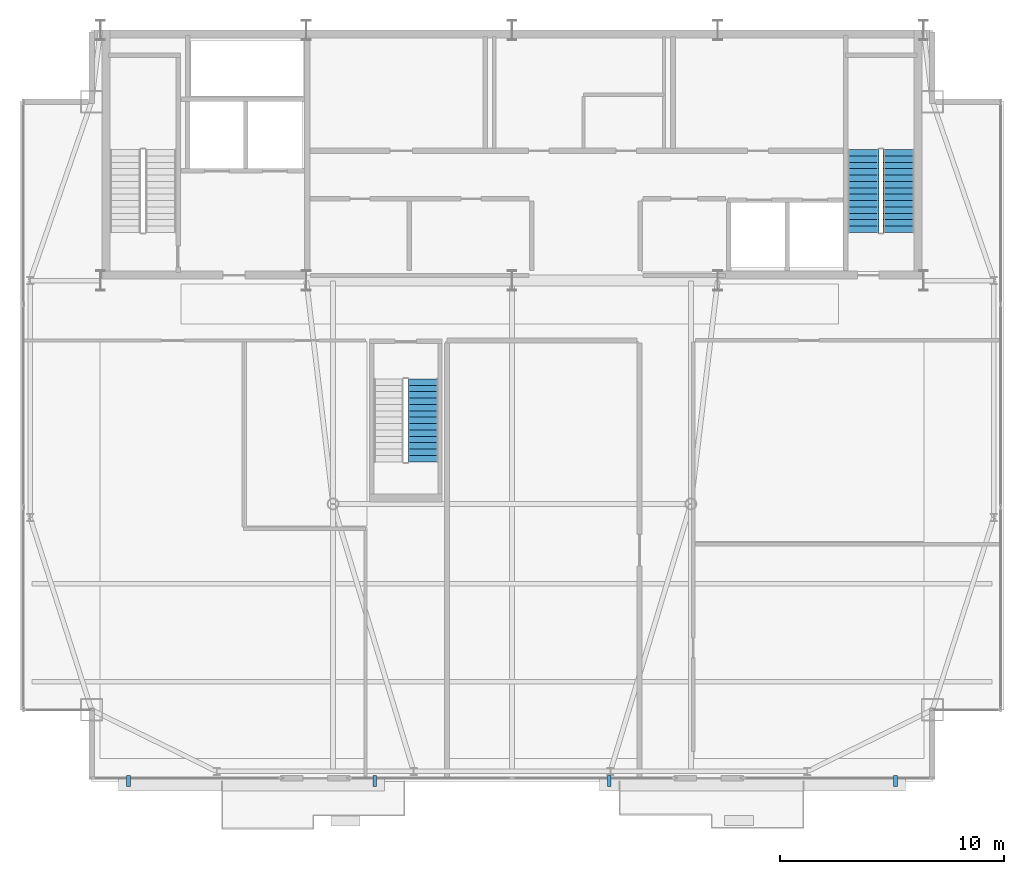
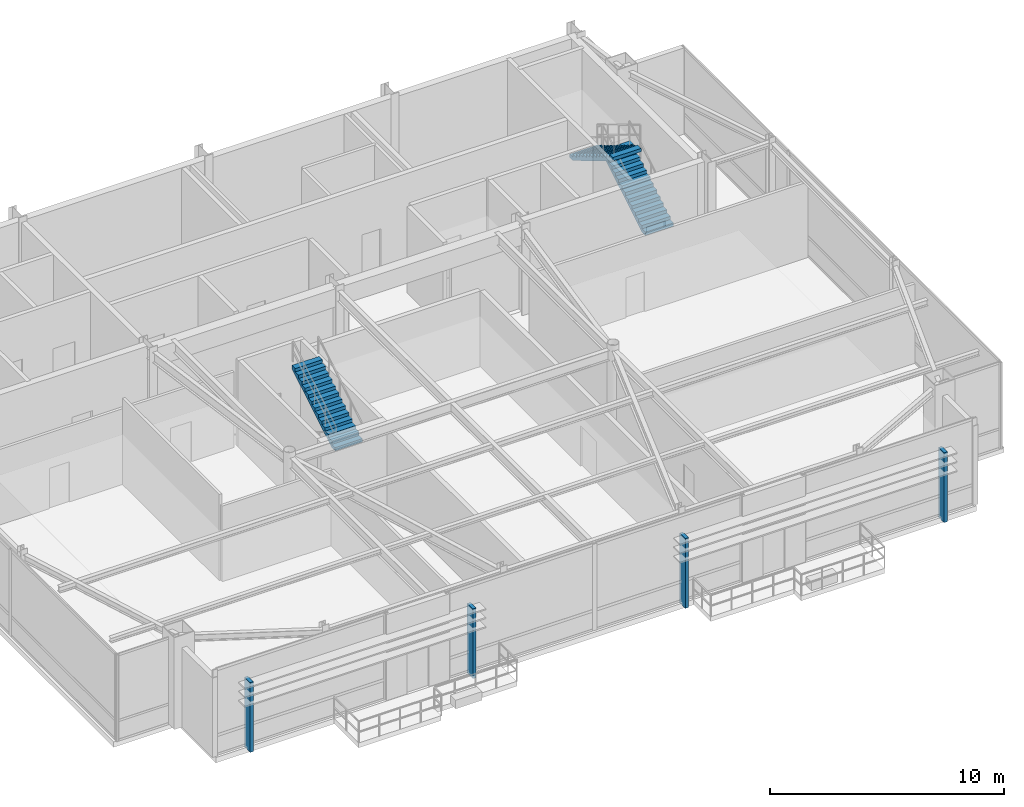
# One storey, part 20 of 22: 4 discrete accessories, 3 stair flights, 2 elements without a shape of their own.
"""IFC4 building model written with IfcOpenShell, lengths in metres."""

from ifc_helpers import new_model, si_unit, direction, frame, origin, origin_2d, place, context, subcontext, project, spatial, polyline, rectangle, outline, extrude, source, transform, mapped, material, layer, layer_set, type_object, type_shapes, element, aggregate, save


model = new_model("IFC4")

# Units and contexts
model_context = context("Model", 3, precision=1e-05, world=origin(), true_north=direction((0.0, 1.0)))
body_context = subcontext(model_context, "Body", "Model", "MODEL_VIEW")
ifc_project = project(units=[si_unit("LENGTHUNIT", "METRE"), si_unit("AREAUNIT", "SQUARE_METRE"), si_unit("VOLUMEUNIT", "CUBIC_METRE"), si_unit("PLANEANGLEUNIT", "RADIAN"), si_unit("MASSUNIT", "GRAM", prefix="KILO")], contexts=[model_context])

# Site, building, storey
site_placement = place(None, origin())
site = spatial("IfcSite", under=ifc_project, at=site_placement, CompositionType="ELEMENT")
building_placement = place(site_placement, origin())
building = spatial("IfcBuilding", under=site, at=building_placement, Name="Varnel Quay Broadcast Tower", CompositionType="ELEMENT")
storey_placement = place(building_placement, frame((0.0, 0.0, 305.0)))
storey = spatial("IfcBuildingStorey", under=building, at=storey_placement, Name="L76", CompositionType="ELEMENT", Elevation=305.0)

# Stair, stair flights
ifc_material_1 = material(Name="Precast Structural Concrete C40/50", Category="concrete")
stair_type_1 = type_object("IfcStairType", Name="Stair_ST-02", PredefinedType="HALF_TURN_STAIR", material=ifc_material_1)
stair_1_placement = place(storey_placement, origin())
stair_1 = element("IfcStair", 1, at=stair_1_placement, inside=storey, type_object=stair_type_1, Name="L76 East Core Exit Stair 2", PredefinedType="HALF_TURN_STAIR")
stair_flight_type_1 = type_object("IfcStairFlightType", Name="Flight_ST-02", PredefinedType="STRAIGHT", material=ifc_material_1)
stair_flight_1_placement = place(storey_placement, frame((51.300048828125, 37.75, 0.0), z_axis=(0.0, 0.0, 1.0), x_axis=(0.0, 1.0, 0.0)))
stair_flight_1 = element("IfcStairFlight", 2, at=stair_flight_1_placement, type_object=stair_flight_type_1, Name="ST-02 flight 1", NumberOfRisers=14, NumberOfTreads=13, PredefinedType="STRAIGHT", RiserHeight=0.171428571, TreadLength=0.285, context=body_context, shape_type="SweptSolid", body=[
    extrude(outline(polyline([(0.0, 0.0), (0.0, 0.17138671875), (0.284912109375, 0.17138671875), (0.284912109375, 0.3427734375), (0.570068359375, 0.3427734375), (0.570068359375, 0.514404296875), (0.85498046875, 0.514404296875), (0.85498046875, 0.685791015625), (1.139892578125, 0.685791015625), (1.139892578125, 0.857177734375), (1.425048828125, 0.857177734375), (1.425048828125, 1.028564453125), (1.7099609375, 1.028564453125), (1.7099609375, 1.199951171875), (1.9951171875, 1.199951171875), (1.9951171875, 1.371337890625), (2.280029296875, 1.371337890625), (2.280029296875, 1.54296875), (2.56494140625, 1.54296875), (2.56494140625, 1.71435546875), (2.85009765625, 1.71435546875), (2.85009765625, 1.8857421875), (3.135009765625, 1.8857421875), (3.135009765625, 2.05712890625), (3.419921875, 2.05712890625), (3.419921875, 2.228515625), (3.705078125, 2.228515625), (3.705078125, 2.39990234375), (3.705078125, 2.0537109375), (0.290771484375, 0.0), (0.0, 0.0)])), frame((0.0, 0.699951171875, 0.0), z_axis=(0.0, -1.0, 0.0), x_axis=(1.0, 0.0, 0.0)), (0.0, 0.0, 1.0), 1.39990234375),
])
stair_flight_2_placement = place(storey_placement, frame((49.699951171875, 41.455078125, 2.39990234375), z_axis=(0.0, 0.0, 1.0), x_axis=(0.0, -1.0, 0.0)))
stair_flight_2 = element("IfcStairFlight", 3, at=stair_flight_2_placement, type_object=stair_flight_type_1, Name="ST-02 flight 2", NumberOfRisers=14, NumberOfTreads=13, PredefinedType="STRAIGHT", RiserHeight=0.171428571, TreadLength=0.285, context=body_context, shape_type="SweptSolid", body=[
    extrude(outline(polyline([(0.0, 0.0), (0.0, 0.17138671875), (0.284912109375, 0.17138671875), (0.284912109375, 0.3427734375), (0.570068359375, 0.3427734375), (0.570068359375, 0.514404296875), (0.85498046875, 0.514404296875), (0.85498046875, 0.685791015625), (1.139892578125, 0.685791015625), (1.139892578125, 0.857177734375), (1.425048828125, 0.857177734375), (1.425048828125, 1.028564453125), (1.7099609375, 1.028564453125), (1.7099609375, 1.199951171875), (1.9951171875, 1.199951171875), (1.9951171875, 1.371337890625), (2.280029296875, 1.371337890625), (2.280029296875, 1.54296875), (2.56494140625, 1.54296875), (2.56494140625, 1.71435546875), (2.85009765625, 1.71435546875), (2.85009765625, 1.8857421875), (3.135009765625, 1.8857421875), (3.135009765625, 2.05712890625), (3.419921875, 2.05712890625), (3.419921875, 2.228515625), (3.705078125, 2.228515625), (3.705078125, 2.39990234375), (3.705078125, 2.0537109375), (0.290771484375, 0.0), (0.0, 0.0)])), frame((0.0, 0.699951171875, 0.0), z_axis=(0.0, -1.0, 0.0), x_axis=(1.0, 0.0, 0.0)), (0.0, 0.0, 1.0), 1.39990234375),
])
aggregate(stair_1, [stair_flight_1, stair_flight_2])

# Stair, stair flight
stair_type_2 = type_object("IfcStairType", Name="Stair_ST-04", PredefinedType="HALF_TURN_STAIR", material=ifc_material_1)
stair_2_placement = place(storey_placement, origin())
stair_2 = element("IfcStair", 4, at=stair_2_placement, inside=storey, type_object=stair_type_2, Name="L76 Observation Gallery Stair 4", PredefinedType="HALF_TURN_STAIR")
stair_flight_type_2 = type_object("IfcStairFlightType", Name="Flight_ST-04", PredefinedType="STRAIGHT", material=ifc_material_1)
stair_flight_3_placement = place(storey_placement, frame((30.02490234375, 27.4951171875, 2.39990234375), z_axis=(0.0, 0.0, 1.0), x_axis=(0.0, 1.0, 0.0)))
stair_flight_3 = element("IfcStairFlight", 5, at=stair_flight_3_placement, type_object=stair_flight_type_2, Name="ST-04 flight 2", NumberOfRisers=14, NumberOfTreads=13, PredefinedType="STRAIGHT", RiserHeight=0.171428571, TreadLength=0.285, context=body_context, shape_type="SweptSolid", body=[
    extrude(outline(polyline([(0.0, 0.0), (0.0, 0.17138671875), (0.284912109375, 0.17138671875), (0.284912109375, 0.3427734375), (0.570068359375, 0.3427734375), (0.570068359375, 0.514404296875), (0.85498046875, 0.514404296875), (0.85498046875, 0.685791015625), (1.139892578125, 0.685791015625), (1.139892578125, 0.857177734375), (1.425048828125, 0.857177734375), (1.425048828125, 1.028564453125), (1.7099609375, 1.028564453125), (1.7099609375, 1.199951171875), (1.9951171875, 1.199951171875), (1.9951171875, 1.371337890625), (2.280029296875, 1.371337890625), (2.280029296875, 1.54296875), (2.56494140625, 1.54296875), (2.56494140625, 1.71435546875), (2.85009765625, 1.71435546875), (2.85009765625, 1.8857421875), (3.135009765625, 1.8857421875), (3.135009765625, 2.05712890625), (3.419921875, 2.05712890625), (3.419921875, 2.228515625), (3.705078125, 2.228515625), (3.705078125, 2.39990234375), (3.705078125, 2.0537109375), (0.290771484375, 0.0), (0.0, 0.0)])), frame((0.0, 0.675048828125, 0.0), z_axis=(0.0, -1.0, 0.0), x_axis=(1.0, 0.0, 0.0)), (0.0, 0.0, 1.0), 1.35009765625),
])
aggregate(stair_2, [stair_flight_3])

# Discrete accessories
ifc_material_2 = material(Name="Anodised Bronze Aluminium 6063-T6", Category="aluminium")
ifc_layer = layer(ifc_material_2, 0.47998046875, Name="Anodised Bronze Aluminium 6063-T6")
ifc_layer_set = layer_set([ifc_layer], Name="Anodised Bronze Aluminium 6063-T6")
discrete_accessory_type = type_object("IfcDiscreteAccessoryType", Name="Acc_FacadeBracket", PredefinedType="BRACKET", material=ifc_layer_set)
shared_shape = source(origin(), body_context, "Body", "SweptSolid", [
    extrude(rectangle(XDim=0.159912109375, YDim=0.47998046875, at=origin_2d()), origin(), (0.0, 0.0, 1.0), 3.64990234375),
])
type_shapes(discrete_accessory_type, [shared_shape])
for number, where, z_axis, x_axis, name in (
    (6, (16.85009765625, 13.219970703125, -0.14990234375), (0.0, 0.0, 1.0), (1.0, 0.0, 0.0), "L76 Lobe 1 Louvre Support Bracket 1"),
    (7, (27.85498046875, 13.219970703125, -0.14990234375), (0.0, 0.0, 1.0), (1.0, 0.0, 0.0), "L76 Lobe 1 Louvre Support Bracket 2"),
    (8, (38.35498046875, 13.219970703125, -0.14990234375), (0.0, 0.0, 1.0), (1.0, 0.0, 0.0), "L76 Lobe 2 Louvre Support Bracket 1"),
    (9, (51.14990234375, 13.219970703125, -0.14990234375), (0.0, 0.0, 1.0), (1.0, 0.0, 0.0), "L76 Lobe 2 Louvre Support Bracket 2"),
):
    element("IfcDiscreteAccessory", number, at=place(storey_placement, frame(where, z_axis=z_axis, x_axis=x_axis)), inside=storey, type_object=discrete_accessory_type, Name=name, PredefinedType="BRACKET", context=body_context, shape_type="MappedRepresentation", body=[
        mapped(shared_shape, transform((0.0, 0.0, 0.0), x_axis=(1.0, 0.0, 0.0), y_axis=(0.0, 1.0, 0.0), z_axis=(0.0, 0.0, 1.0), scale=1.0)),
    ])

save(model, "model.ifc")
